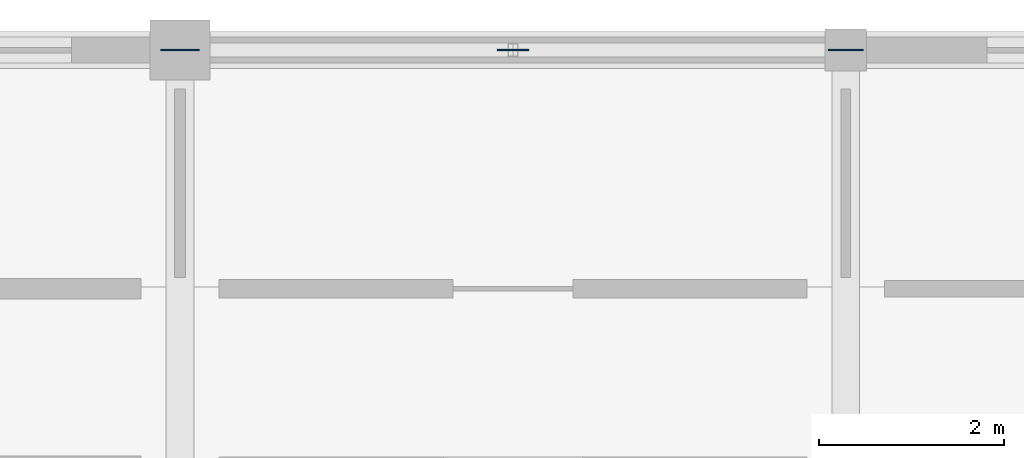
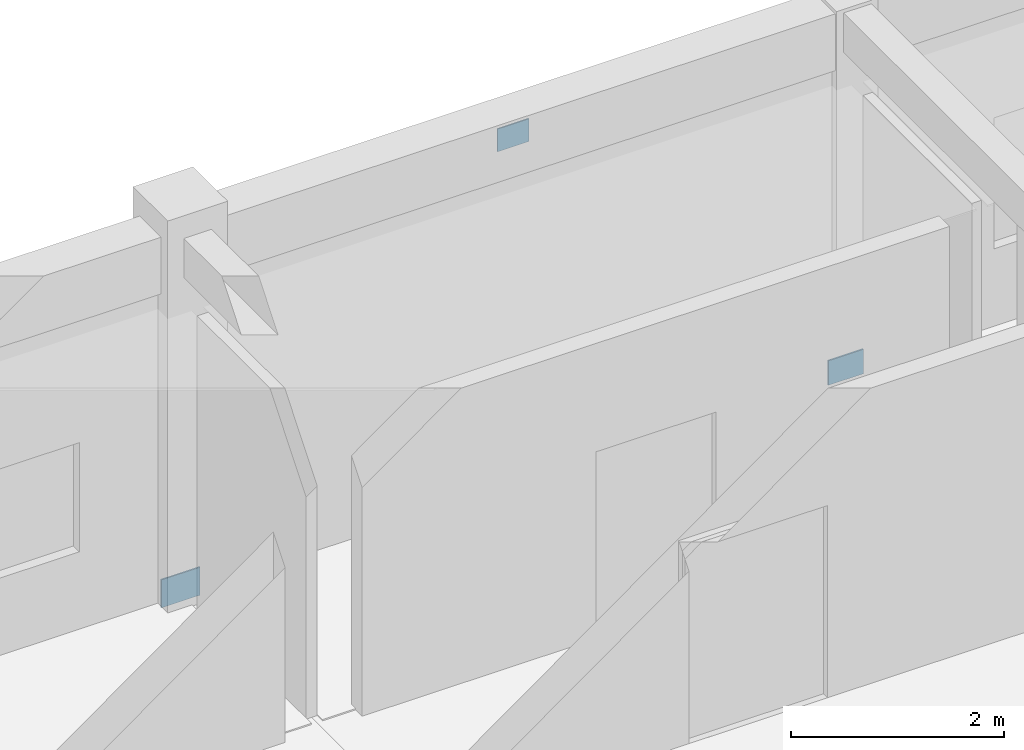
# One storey, part 63 of 91: 3 plates.
"""IFC4 building model written with IfcOpenShell, lengths in metres."""

import ifcopenshell
import ifcopenshell.guid

model = None  # the IFC model being written
_history = None  # IfcOwnerHistory: only IFC2X3 demands one
_inside = {}  # id of a spatial element -> (the spatial element, [elements in it])
_under = {}  # id of a project, library or spatial element -> (it, [spatial elements below it])
_declared = {}  # id of a project -> (the project, [libraries it declares])
_typed = {}  # id of a type object -> (the type object, [elements of that type])
_made_of = {}  # id of a material, layer set ... -> (it, [elements and type objects made of it])


def new_model(schema):
    """Start an empty IFC model of exactly this schema.

    Asked for "IFC4X3", IfcOpenShell would pick the latest addendum, in which some entities
    have other attributes; the version numbers below select the first issue.
    IFC2X3 requires an IfcOwnerHistory on every rooted entity: one is made here for all.
    """
    global model, _history
    if schema == "IFC4X3":
        model = ifcopenshell.file(schema_version=(4, 3, 0, 0))
    else:
        model = ifcopenshell.file(schema=schema)
    _inside.clear()
    _under.clear()
    _declared.clear()
    _typed.clear()
    _made_of.clear()
    _history = None
    if model.schema == "IFC2X3":
        org = make("IfcOrganization", Name="unknown")
        user = make(
            "IfcPersonAndOrganization",
            ThePerson=make("IfcPerson", FamilyName="unknown"),
            TheOrganization=org,
        )
        app = make(
            "IfcApplication",
            ApplicationDeveloper=org,
            Version="unknown",
            ApplicationFullName="unknown",
            ApplicationIdentifier="unknown",
        )
        _history = make(
            "IfcOwnerHistory",
            OwningUser=user,
            OwningApplication=app,
            ChangeAction="ADDED",
            CreationDate=0,
        )
    return model


def make(cls, **values):
    """One entity of the class cls with the attributes given. An attribute that is None is left unset."""
    return model.create_entity(
        cls, **{name: value for name, value in values.items() if value is not None}
    )


def rooted(cls, **values):
    """An entity with a GlobalId (a new one), such as an element, a storey or a relation."""
    return make(cls, GlobalId=ifcopenshell.guid.new(), OwnerHistory=_history, **values)


def si_unit(unit_type, name, prefix=None):
    """IfcSIUnit, for example si_unit("LENGTHUNIT", "METRE", prefix="MILLI")."""
    return make("IfcSIUnit", UnitType=unit_type, Prefix=prefix, Name=name)


def assignment(units):
    """IfcUnitAssignment: the units of a project."""
    return None if units is None else make("IfcUnitAssignment", Units=units)


def point(xyz):
    """IfcCartesianPoint."""
    return None if xyz is None else make("IfcCartesianPoint", Coordinates=xyz)


def direction(xyz):
    """IfcDirection."""
    return None if xyz is None else make("IfcDirection", DirectionRatios=xyz)


def frame(location, z_axis=None, x_axis=None):
    """IfcAxis2Placement3D, a coordinate frame: its origin and axes. An axis left out is left unset."""
    return make(
        "IfcAxis2Placement3D",
        Location=point(location),
        Axis=direction(z_axis),
        RefDirection=direction(x_axis),
    )


def frame_2d(location, x_axis=None):
    """IfcAxis2Placement2D, a coordinate frame in the plane: its origin and x axis."""
    return make(
        "IfcAxis2Placement2D", Location=point(location), RefDirection=direction(x_axis)
    )


def origin():
    """The frame at (0, 0, 0) with its axes left unset."""
    return frame((0.0, 0.0, 0.0))


def origin_2d():
    """The frame at (0, 0) in the plane with its x axis left unset."""
    return frame_2d((0.0, 0.0))


def place(relative_to, where):
    """IfcLocalPlacement: puts the frame where relative to a parent placement (None: the world)."""
    return make(
        "IfcLocalPlacement", PlacementRelTo=relative_to, RelativePlacement=where
    )


def context(
    kind, dimensions, precision=None, world=None, true_north=None, identifier=None
):
    """IfcGeometricRepresentationContext, for example the 3D "Model" context."""
    return make(
        "IfcGeometricRepresentationContext",
        ContextIdentifier=identifier,
        ContextType=kind,
        CoordinateSpaceDimension=dimensions,
        Precision=precision,
        WorldCoordinateSystem=world,
        TrueNorth=true_north,
    )


def subcontext(parent, identifier, kind, view, scale=None):
    """IfcGeometricRepresentationSubContext, for example "Body" below "Model"."""
    return make(
        "IfcGeometricRepresentationSubContext",
        ContextIdentifier=identifier,
        ContextType=kind,
        ParentContext=parent,
        TargetScale=scale,
        TargetView=view,
    )


def project(units=None, contexts=None):
    """IfcProject with its units and contexts."""
    return rooted(
        "IfcProject",
        Name="project",
        RepresentationContexts=contexts,
        UnitsInContext=assignment(units),
    )


def spatial(cls, under=None, at=None, **own):
    """A site, building, storey or space (cls), placed at a placement, below another one or the project."""
    s = rooted(cls, ObjectPlacement=at, **own)
    if under is not None:
        _under.setdefault(under.id(), (under, []))[1].append(s)
    return s


def profile(cls, at=None, kind="AREA", **sizes):
    """A parametric profile (cls). Its sizes go by their IFC names, for example OverallWidth=200.0."""
    return make(cls, ProfileType=kind, Position=at, **sizes)


def rectangle(**sizes):
    """IfcRectangleProfileDef."""
    return profile("IfcRectangleProfileDef", **sizes)


def extrude(swept, where, along, depth):
    """IfcExtrudedAreaSolid: the profile swept, set in the frame where, extruded along a direction by depth."""
    return make(
        "IfcExtrudedAreaSolid",
        SweptArea=swept,
        Position=where,
        ExtrudedDirection=direction(along),
        Depth=depth,
    )


def shape(context_of_items, identifier, shape_type, items):
    """IfcShapeRepresentation: the items that make up one representation, for example the "Body"."""
    return make(
        "IfcShapeRepresentation",
        ContextOfItems=context_of_items,
        RepresentationIdentifier=identifier,
        RepresentationType=shape_type,
        Items=items,
    )


def material(Name=None, Category=None):
    """IfcMaterial."""
    return make("IfcMaterial", Name=Name, Category=Category)


def layer(
    of_material, thickness, ventilated=None, Name=None, Category=None, Priority=None
):
    """IfcMaterialLayer: one layer of a wall or slab, of a material (None: an air gap)."""
    return make(
        "IfcMaterialLayer",
        Material=of_material,
        LayerThickness=thickness,
        IsVentilated=ventilated,
        Name=Name,
        Category=Category,
        Priority=Priority,
    )


def layer_set(layers, Name=None):
    """IfcMaterialLayerSet."""
    return make("IfcMaterialLayerSet", MaterialLayers=layers, LayerSetName=Name)


def made_of(thing, what):
    """Note that an element or type object is made of a material, layer set ...; save() writes the relation."""
    if what is not None:
        _made_of.setdefault(what.id(), (what, []))[1].append(thing)
    return thing


def type_object(cls, material=None, **own):
    """A type object (cls), such as IfcWallType, which elements share."""
    return made_of(rooted(cls, **own), material)


def element(
    cls,
    number,
    at=None,
    inside=None,
    cuts=None,
    type_object=None,
    material=None,
    context=None,
    identifier="Body",
    shape_type=None,
    held_by="IfcProductDefinitionShape",
    body=None,
    shapes=None,
    **own,
):
    """One element of the class cls, such as IfcWall. Its Tag is "e" and its number.

    at: its placement. inside: the storey or other place that contains it. cuts: it is an
    opening in that element (IfcRelVoidsElement). A single representation is given by context,
    identifier, shape_type and body (its items); several are given by shapes. held_by: the class
    of the entity that holds the representations. save() writes the other relations.
    """
    e = rooted(cls, Tag="e%d" % number, ObjectPlacement=at, **own)
    if body is not None:
        shapes = [shape(context, identifier, shape_type, body)]
    if shapes is not None:
        e.Representation = make(held_by, Representations=shapes)
    if inside is not None:
        _inside.setdefault(inside.id(), (inside, []))[1].append(e)
    if cuts is not None:
        rooted(
            "IfcRelVoidsElement", RelatingBuildingElement=cuts, RelatedOpeningElement=e
        )
    if type_object is not None:
        _typed.setdefault(type_object.id(), (type_object, []))[1].append(e)
    return made_of(e, material)


def aggregate(whole, parts):
    """IfcRelAggregates: a whole, such as a stair, and the parts it consists of."""
    return rooted("IfcRelAggregates", RelatingObject=whole, RelatedObjects=parts)


def save(model, path):
    """Write the relations noted so far, then the file.

    IfcRelAggregates (storeys below a building ...), IfcRelContainedInSpatialStructure (elements
    in a storey), IfcRelDefinesByType, IfcRelAssociatesMaterial and IfcRelDeclares: one each for
    every whole, place, type object, material and project.
    """
    for whole, parts in _under.values():
        aggregate(whole, parts)
    for where, things in _inside.values():
        rooted(
            "IfcRelContainedInSpatialStructure",
            RelatedElements=things,
            RelatingStructure=where,
        )
    for kind, things in _typed.values():
        rooted("IfcRelDefinesByType", RelatedObjects=things, RelatingType=kind)
    for what, things in _made_of.values():
        rooted("IfcRelAssociatesMaterial", RelatedObjects=things, RelatingMaterial=what)
    for by, libraries in _declared.values():
        rooted("IfcRelDeclares", RelatingContext=by, RelatedDefinitions=libraries)
    model.write(path)


model = new_model("IFC4")

# Units and contexts
model_context = context("Model", 3, precision=1e-05, world=origin(), true_north=direction((0.0, 1.0)))
body_context = subcontext(model_context, "Body", "Model", "MODEL_VIEW")
ifc_project = project(units=[si_unit("LENGTHUNIT", "METRE"), si_unit("AREAUNIT", "SQUARE_METRE"), si_unit("VOLUMEUNIT", "CUBIC_METRE"), si_unit("PLANEANGLEUNIT", "RADIAN"), si_unit("MASSUNIT", "GRAM", prefix="KILO")], contexts=[model_context])

# Site, building, storey
site_placement = place(None, origin())
site = spatial("IfcSite", under=ifc_project, at=site_placement, CompositionType="ELEMENT")
building_placement = place(site_placement, origin())
building = spatial("IfcBuilding", under=site, at=building_placement, Name="Aldebral Square Health Centre", CompositionType="ELEMENT")
storey_placement = place(building_placement, frame((0.0, 0.0, 9.0)))
storey = spatial("IfcBuildingStorey", under=building, at=storey_placement, Name="L02", CompositionType="ELEMENT", Elevation=9.0)

# Plates
ifc_material = material(Name="Steel S355JR", Category="steel")
ifc_layer_1 = layer(ifc_material, 0.01611328125, Name="Steel S355JR", Category="steel")
ifc_layer_set_1 = layer_set([ifc_layer_1], Name="Steel S355JR")
plate_type_1 = type_object("IfcPlateType", Name="PL-GUS-1", PredefinedType="USERDEFINED", material=ifc_layer_set_1)
plate_1_placement = place(storey_placement, frame((28.800048828125, 115.199951171875, -0.16015625), z_axis=(0.0, 0.0, 1.0), x_axis=(1.0, 0.0, 0.0)))
element("IfcPlate", 1, at=plate_1_placement, inside=storey, type_object=plate_type_1, Name="L02 north chevron brace 5 west base gusset plate", ObjectType="GUSSET_PLATE", PredefinedType="USERDEFINED", context=body_context, shape_type="SweptSolid", body=[
    extrude(rectangle(XDim=0.419921875, YDim=0.01611328125, at=origin_2d()), origin(), (0.0, 0.0, 1.0), 0.320068359375),
])
ifc_layer_2 = layer(ifc_material, 0.01611328125, Name="Steel S355JR", Category="steel")
ifc_layer_set_2 = layer_set([ifc_layer_2], Name="Steel S355JR")
plate_type_2 = type_object("IfcPlateType", Name="PL-GUS-2", PredefinedType="USERDEFINED", material=ifc_layer_set_2)
plate_2_placement = place(storey_placement, frame((36.0, 115.199951171875, -0.14013671875), z_axis=(0.0, 0.0, 1.0), x_axis=(1.0, 0.0, 0.0)))
element("IfcPlate", 2, at=plate_2_placement, inside=storey, type_object=plate_type_2, Name="L02 north chevron brace 5 east base gusset plate", ObjectType="GUSSET_PLATE", PredefinedType="USERDEFINED", context=body_context, shape_type="SweptSolid", body=[
    extrude(rectangle(XDim=0.3798828125, YDim=0.01611328125, at=origin_2d()), origin(), (0.0, 0.0, 1.0), 0.280029296875),
])
ifc_layer_3 = layer(ifc_material, 0.013916015625, Name="Steel S355JR", Category="steel")
ifc_layer_set_3 = layer_set([ifc_layer_3], Name="Steel S355JR")
plate_type_3 = type_object("IfcPlateType", Name="PL-GUS-3", PredefinedType="USERDEFINED", material=ifc_layer_set_3)
plate_3_placement = place(storey_placement, frame((32.39990234375, 115.199951171875, 3.78515625), z_axis=(0.0, 0.0, 1.0), x_axis=(1.0, 0.0, 0.0)))
element("IfcPlate", 3, at=plate_3_placement, inside=storey, type_object=plate_type_3, Name="L02 north chevron brace 5 apex gusset plate", ObjectType="GUSSET_PLATE", PredefinedType="USERDEFINED", context=body_context, shape_type="SweptSolid", body=[
    extrude(rectangle(XDim=0.340087890625, YDim=0.013916015625, at=origin_2d()), origin(), (0.0, 0.0, 1.0), 0.260009765625),
])

save(model, "model.ifc")
